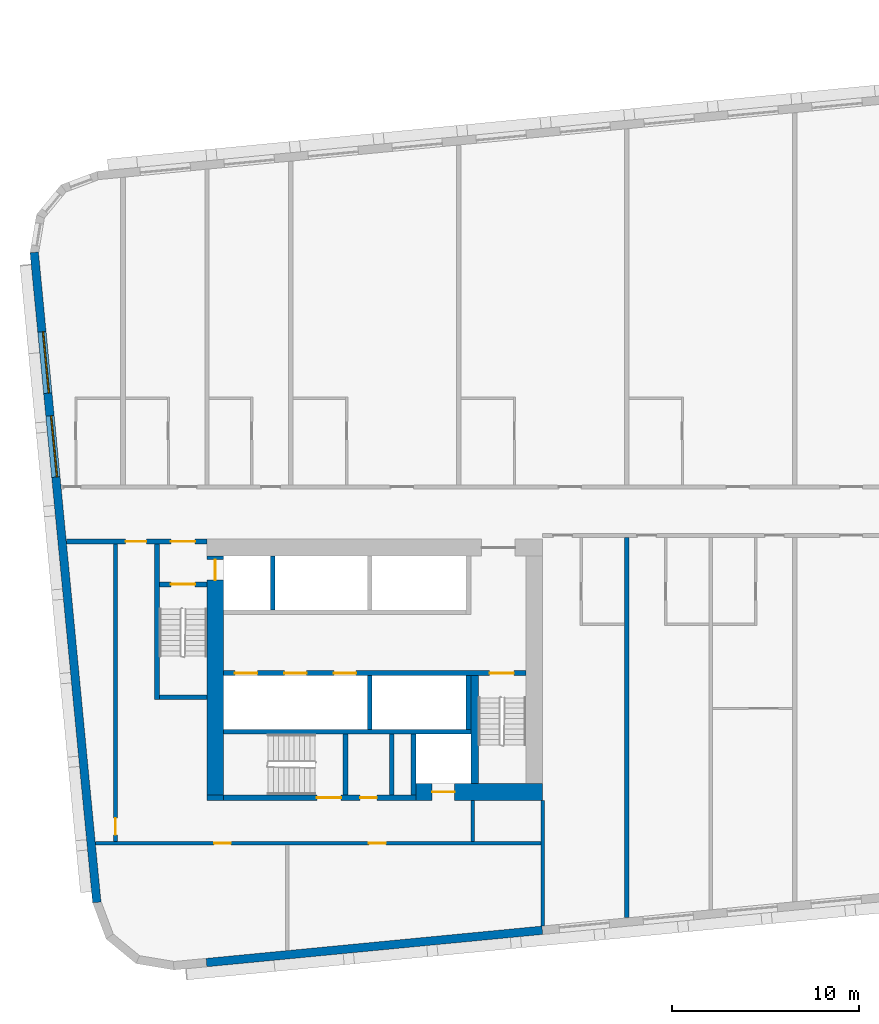
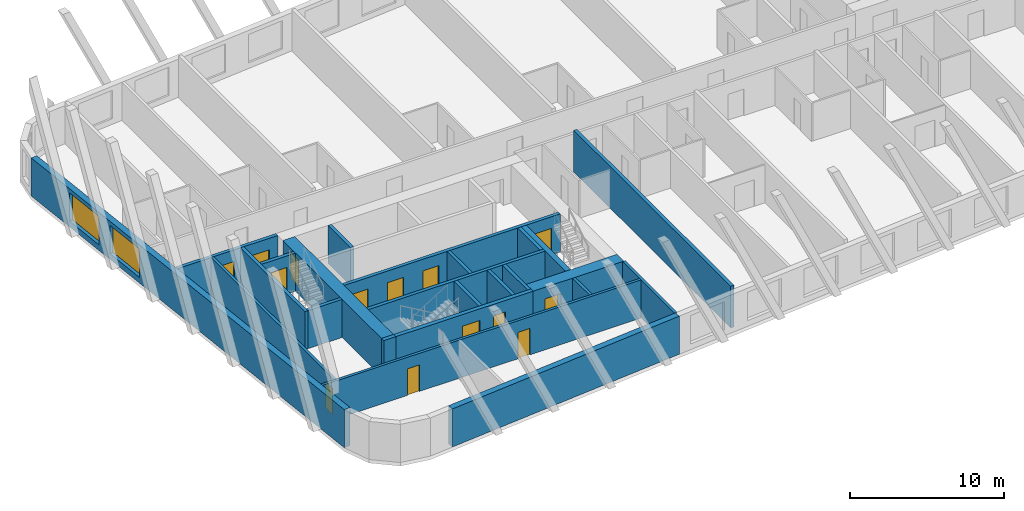
# One storey, part 2 of 13: 24 walls, 14 doors, 2 windows, 16 openings.
"""IFC4 building model written with IfcOpenShell, lengths in metres."""

from ifc_helpers import new_model, si_unit, direction, frame, frame_2d, origin, place, context, subcontext, project, spatial, rectangle, extrude, material, layer, layer_set, type_object, element, fill, save


model = new_model("IFC4")

# Units and contexts
model_context = context("Model", 3, precision=1e-05, world=origin(), true_north=direction((0.0, 1.0)))
body_context = subcontext(model_context, "Body", "Model", "MODEL_VIEW")
ifc_project = project(units=[si_unit("LENGTHUNIT", "METRE"), si_unit("AREAUNIT", "SQUARE_METRE"), si_unit("VOLUMEUNIT", "CUBIC_METRE"), si_unit("PLANEANGLEUNIT", "RADIAN"), si_unit("MASSUNIT", "GRAM", prefix="KILO")], contexts=[model_context])

# Site, building, storey
site_placement = place(None, origin())
site = spatial("IfcSite", under=ifc_project, at=site_placement, CompositionType="ELEMENT")
building_placement = place(site_placement, origin())
building = spatial("IfcBuilding", under=site, at=building_placement, Name="Kajstack Hotel Tower", CompositionType="ELEMENT")
storey_placement = place(building_placement, frame((0.0, 0.0, 110.800048828125)))
storey = spatial("IfcBuildingStorey", under=building, at=storey_placement, Name="L23", CompositionType="ELEMENT", Elevation=110.800048828125)

# Wall, opening, door
ifc_material_1 = material(Name="Concrete C60/75", Category="concrete")
ifc_layer_1 = layer(ifc_material_1, 0.89990234375)
ifc_layer_set_1 = layer_set([ifc_layer_1], Name="Core wall 900")
wall_type_1 = type_object("IfcWallType", Name="Core wall 900", PredefinedType="SHEAR", material=ifc_layer_set_1)
wall_1_placement = place(storey_placement, frame((-20.300048828125, -15.050048828125, 0.0), z_axis=(0.0, 0.0, 1.0), x_axis=(1.0, 0.0, 0.0)))
wall_1 = element("IfcWall", 1, at=wall_1_placement, inside=storey, type_object=wall_type_1, Name="Core wall W RS", PredefinedType="SHEAR", context=body_context, shape_type="SweptSolid", body=[
    extrude(rectangle(XDim=6.800048828125, YDim=0.89990234375, at=frame_2d((3.39990234375, 0.0))), origin(), (0.0, 0.0, 1.0), 3.02001953125),
])
opening_1_placement = place(wall_1_placement, frame((0.875, 0.0, 0.0)))
opening_1 = element("IfcOpeningElement", 2, at=opening_1_placement, cuts=wall_1, Name="Opening LD-SV1", PredefinedType="OPENING", context=body_context, shape_type="SweptSolid", body=[
    extrude(rectangle(XDim=1.199951171875, YDim=2.10009765625, at=frame_2d((0.60009765625, 1.050048828125))), frame((0.0, 0.4599609375, 0.0), z_axis=(0.0, -1.0, 0.0), x_axis=(1.0, 0.0, 0.0)), (0.0, 0.0, 1.0), 0.919921875),
])
ifc_material_2 = material(Name="Stainless steel", Category="steel")
door_type_1 = type_object("IfcDoorType", Name="Lift landing door 1200", OperationType="SLIDING_TO_LEFT", PredefinedType="DOOR", material=ifc_material_2)
door_1_placement = place(opening_1_placement, origin())
door_1 = element("IfcDoor", 3, at=door_1_placement, inside=storey, type_object=door_type_1, Name="Landing door SV1", OperationType="SLIDING_TO_LEFT", OverallHeight=2.10009765625, OverallWidth=1.199951171875, PredefinedType="DOOR", context=body_context, shape_type="SweptSolid", body=[
    extrude(rectangle(XDim=1.199951171875, YDim=2.10009765625, at=frame_2d((0.60009765625, 1.050048828125))), frame((0.0, 0.02490234375, 0.0), z_axis=(0.0, -1.0, 0.0), x_axis=(1.0, 0.0, 0.0)), (0.0, 0.0, 1.0), 0.050048828125),
])
fill(opening_1, door_1)

# Wall
wall_2_placement = place(storey_placement, frame((-31.5, -15.35009765625, 0.0), z_axis=(0.0, 0.0, 1.0), x_axis=(1.0, 0.0, 0.0)))
element("IfcWall", 4, at=wall_2_placement, inside=storey, type_object=wall_type_1, Name="Core wall W RSW", PredefinedType="SHEAR", context=body_context, shape_type="SweptSolid", body=[
    extrude(rectangle(XDim=0.89990234375, YDim=0.300048828125, at=frame_2d((0.449951171875, 0.0))), origin(), (0.0, 0.0, 1.0), 3.02001953125),
])

# Wall, opening, door
wall_3_placement = place(storey_placement, frame((-31.050048828125, -15.199951171875, 0.0), z_axis=(0.0, 0.0, 1.0), x_axis=(0.0, 1.0, 0.0)))
wall_3 = element("IfcWall", 5, at=wall_3_placement, inside=storey, type_object=wall_type_1, Name="Core wall W RW", PredefinedType="SHEAR", context=body_context, shape_type="SweptSolid", body=[
    extrude(rectangle(XDim=12.800048828125, YDim=0.89990234375, at=frame_2d((6.39990234375, 0.0))), origin(), (0.0, 0.0, 1.0), 3.02001953125),
])
opening_2_placement = place(wall_3_placement, frame((11.5, 0.0, 0.0)))
opening_2 = element("IfcOpeningElement", 6, at=opening_2_placement, cuts=wall_3, Name="Opening LD-FF1", PredefinedType="OPENING", context=body_context, shape_type="SweptSolid", body=[
    extrude(rectangle(XDim=1.10009765625, YDim=2.10009765625, at=frame_2d((0.550048828125, 1.050048828125))), frame((0.0, 0.4599609375, 0.0), z_axis=(0.0, -1.0, 0.0), x_axis=(1.0, 0.0, 0.0)), (0.0, 0.0, 1.0), 0.919921875),
])
door_type_2 = type_object("IfcDoorType", Name="Fire-fighting lift landing door 1100", OperationType="SLIDING_TO_LEFT", PredefinedType="DOOR", material=ifc_material_2)
door_2_placement = place(opening_2_placement, origin())
door_2 = element("IfcDoor", 7, at=door_2_placement, inside=storey, type_object=door_type_2, Name="Landing door FF1", OperationType="SLIDING_TO_RIGHT", OverallHeight=2.10009765625, OverallWidth=1.10009765625, PredefinedType="DOOR", context=body_context, shape_type="SweptSolid", body=[
    extrude(rectangle(XDim=1.10009765625, YDim=2.10009765625, at=frame_2d((0.550048828125, 1.050048828125))), frame((0.0, 0.02490234375, 0.0), z_axis=(0.0, -1.0, 0.0), x_axis=(1.0, 0.0, 0.0)), (0.0, 0.0, 1.0), 0.050048828125),
])
fill(opening_2, door_2)

# Walls
ifc_material_3 = material(Name="Twin-frame gypsum board on steel studs, mineral wool", Category="steel")
ifc_layer_2 = layer(ifc_material_3, 0.199951171875)
ifc_layer_set_2 = layer_set([ifc_layer_2], Name="Demising wall 200")
wall_type_2 = type_object("IfcWallType", Name="Demising wall 200", PredefinedType="PARTITIONING", material=ifc_layer_set_2)
wall_4_placement = place(storey_placement, frame((-13.5, -22.23193359375, 0.0), z_axis=(0.0, 0.0, 1.0), x_axis=(0.0, 1.0, 0.0)))
element("IfcWall", 8, at=wall_4_placement, inside=storey, type_object=wall_type_2, Name="G-wall-L23-002", PredefinedType="PARTITIONING", context=body_context, shape_type="SweptSolid", body=[
    extrude(rectangle(XDim=6.73193359375, YDim=0.199951171875, at=frame_2d((3.365966796875, 0.0))), origin(), (0.0, 0.0, 1.0), 3.02001953125),
])
ifc_material_4 = material(Name="Concrete C40/50", Category="concrete")
ifc_layer_3 = layer(ifc_material_4, 0.449951171875)
ifc_layer_set_3 = layer_set([ifc_layer_3], Name="EW-CORE")
wall_type_3 = type_object("IfcWallType", Name="EW-CORE", PredefinedType="SOLIDWALL", material=ifc_layer_set_3)
wall_5_placement = place(storey_placement, frame((-31.521484375, -24.193603515625, 0.0), z_axis=(0.0, 0.0, 1.0), x_axis=(0.995396454615, 0.095843091245, 0.0)))
element("IfcWall", 9, at=wall_5_placement, inside=storey, type_object=wall_type_3, Name="E-wall-L23-04-01", PredefinedType="SOLIDWALL", context=body_context, shape_type="SweptSolid", body=[
    extrude(rectangle(XDim=18.083251953125, YDim=0.449951171875, at=frame_2d((9.04150390625, 0.0))), origin(), (0.0, 0.0, 1.0), 3.02001953125),
])

# Wall, openings, windows
ifc_material_5 = material(Name="Terracotta-faced brick masonry", Category="masonry")
ifc_layer_4 = layer(ifc_material_5, 0.449951171875)
ifc_layer_set_4 = layer_set([ifc_layer_4], Name="EW-TERRA")
wall_type_4 = type_object("IfcWallType", Name="EW-TERRA", PredefinedType="SOLIDWALL", material=ifc_layer_set_4)
wall_6_placement = place(storey_placement, frame((-40.7529296875, 13.87158203125, 0.0), z_axis=(0.0, 0.0, 1.0), x_axis=(0.095843327381, -0.995396431878, 0.0)))
wall_6 = element("IfcWall", 10, at=wall_6_placement, inside=storey, type_object=wall_type_4, Name="E-wall-L23-00-00", PredefinedType="SOLIDWALL", context=body_context, shape_type="SweptSolid", body=[
    extrude(rectangle(XDim=34.999755859375, YDim=0.449951171875, at=frame_2d((17.5, 0.0))), origin(), (0.0, 0.0, 1.0), 3.02001953125),
])
opening_3_placement = place(wall_6_placement, frame((4.27734375, 0.0, 0.449951171875)))
opening_3 = element("IfcOpeningElement", 11, at=opening_3_placement, cuts=wall_6, Name="Opening W2", PredefinedType="OPENING", context=body_context, shape_type="SweptSolid", body=[
    extrude(rectangle(XDim=3.300048828125, YDim=2.25, at=frame_2d((1.64990234375, 1.125))), frame((0.0, 0.23486328125, 0.0), z_axis=(0.0, -1.0, 0.0), x_axis=(1.0, 0.0, 0.0)), (0.0, 0.0, 1.0), 0.469970703125),
])
opening_4_placement = place(wall_6_placement, frame((8.798095703125, 0.0, 0.449951171875)))
opening_4 = element("IfcOpeningElement", 12, at=opening_4_placement, cuts=wall_6, Name="Opening W2", PredefinedType="OPENING", context=body_context, shape_type="SweptSolid", body=[
    extrude(rectangle(XDim=3.300048828125, YDim=2.25, at=frame_2d((1.64990234375, 1.125))), frame((0.0, 0.23486328125, 0.0), z_axis=(0.0, -1.0, 0.0), x_axis=(1.0, 0.0, 0.0)), (0.0, 0.0, 1.0), 0.469970703125),
])
ifc_material_6 = material(Name="Timber-aluminium window, triple glazed", Category="wood")
window_type = type_object("IfcWindowType", Name="WG2", PartitioningType="SINGLE_PANEL", PredefinedType="WINDOW", material=ifc_material_6)
window_1_placement = place(opening_3_placement, origin())
window_1 = element("IfcWindow", 13, at=window_1_placement, inside=storey, type_object=window_type, Name="Window W2 L23-00", OverallHeight=2.25, OverallWidth=3.300048828125, PartitioningType="SINGLE_PANEL", PredefinedType="WINDOW", context=body_context, shape_type="SweptSolid", body=[
    extrude(rectangle(XDim=3.300048828125, YDim=2.25, at=frame_2d((1.64990234375, 1.125))), frame((0.0, 0.090087890625, 0.0), z_axis=(0.0, -1.0, 0.0), x_axis=(1.0, 0.0, 0.0)), (0.0, 0.0, 1.0), 0.06005859375),
])
fill(opening_3, window_1)
window_2_placement = place(opening_4_placement, origin())
window_2 = element("IfcWindow", 14, at=window_2_placement, inside=storey, type_object=window_type, Name="Window W2 L23-00", OverallHeight=2.25, OverallWidth=3.300048828125, PartitioningType="SINGLE_PANEL", PredefinedType="WINDOW", context=body_context, shape_type="SweptSolid", body=[
    extrude(rectangle(XDim=3.300048828125, YDim=2.25, at=frame_2d((1.64990234375, 1.125))), frame((0.0, 0.090087890625, 0.0), z_axis=(0.0, -1.0, 0.0), x_axis=(1.0, 0.0, 0.0)), (0.0, 0.0, 1.0), 0.06005859375),
])
fill(opening_4, window_2)

# Walls
ifc_material_7 = material(Name="Concrete C50/60", Category="concrete")
ifc_layer_5 = layer(ifc_material_7, 0.300048828125)
ifc_layer_set_5 = layer_set([ifc_layer_5], Name="Hoistway divider wall 300")
wall_type_5 = type_object("IfcWallType", Name="Hoistway divider wall 300", PredefinedType="SHEAR", material=ifc_layer_set_5)
wall_7_placement = place(storey_placement, frame((-22.77490234375, -11.699951171875, 0.0), z_axis=(0.0, 0.0, 1.0), x_axis=(0.0, 1.0, 0.0)))
element("IfcWall", 15, at=wall_7_placement, inside=storey, type_object=wall_type_5, Name="Core wall W BP2", PredefinedType="SHEAR", context=body_context, shape_type="SweptSolid", body=[
    extrude(rectangle(XDim=2.89990234375, YDim=0.25, at=frame_2d((1.449951171875, 0.0))), origin(), (0.0, 0.0, 1.0), 3.02001953125),
])
ifc_material_8 = material(Name="Concrete C55/67", Category="concrete")
ifc_layer_6 = layer(ifc_material_8, 0.25)
ifc_layer_set_6 = layer_set([ifc_layer_6], Name="RC cross wall 250 C55/67")
wall_type_6 = type_object("IfcWallType", Name="RC cross wall 250 C55/67", PredefinedType="SHEAR", material=ifc_layer_set_6)
wall_8_placement = place(storey_placement, frame((-9.0, -21.777099609375, 0.0), z_axis=(0.0, 0.0, 1.0), x_axis=(0.0, 1.0, 0.0)))
element("IfcWall", 16, at=wall_8_placement, inside=storey, type_object=wall_type_6, Name="S-wall-L23-04", PredefinedType="SHEAR", context=body_context, shape_type="SweptSolid", body=[
    extrude(rectangle(XDim=20.377197265625, YDim=0.25, at=frame_2d((10.1884765625, 0.0))), origin(), (0.0, 0.0, 1.0), 3.300048828125),
])
ifc_material_9 = material(Name="Concrete block masonry", Category="masonry")
ifc_layer_7 = layer(ifc_material_9, 0.25)
ifc_layer_set_7 = layer_set([ifc_layer_7], Name="Riser partition 250")
wall_type_7 = type_object("IfcWallType", Name="Riser partition 250", PredefinedType="PARTITIONING", material=ifc_layer_set_7)
wall_9_placement = place(storey_placement, frame((-21.60009765625, -15.199951171875, 0.0), z_axis=(0.0, 0.0, 1.0), x_axis=(0.0, 1.0, 0.0)))
element("IfcWall", 17, at=wall_9_placement, inside=storey, type_object=wall_type_7, Name="Partition W SZ0", PredefinedType="PARTITIONING", context=body_context, shape_type="SweptSolid", body=[
    extrude(rectangle(XDim=3.25, YDim=0.25, at=frame_2d((1.625, 0.0))), origin(), (0.0, 0.0, 1.0), 3.02001953125),
])

# Wall, openings, doors
ifc_material_10 = material(Name="Gypsum board on steel studs, mineral wool", Category="steel")
ifc_layer_8 = layer(ifc_material_10, 0.199951171875)
ifc_layer_set_8 = layer_set([ifc_layer_8], Name="Service partition 200")
wall_type_8 = type_object("IfcWallType", Name="Service partition 200", PredefinedType="PARTITIONING", material=ifc_layer_set_8)
wall_10_placement = place(storey_placement, frame((-39.034912109375, -1.625, 0.0), z_axis=(0.0, 0.0, 1.0), x_axis=(1.0, 0.0, 0.0)))
wall_10 = element("IfcWall", 18, at=wall_10_placement, inside=storey, type_object=wall_type_8, Name="Partition W SN", PredefinedType="PARTITIONING", context=body_context, shape_type="SweptSolid", body=[
    extrude(rectangle(XDim=7.534912109375, YDim=0.25, at=frame_2d((3.767578125, 0.0))), origin(), (0.0, 0.0, 1.0), 3.02001953125),
])
opening_5_placement = place(wall_10_placement, frame((5.60986328125, 0.0, 0.0)))
opening_5 = element("IfcOpeningElement", 19, at=opening_5_placement, cuts=wall_10, Name="Opening 23W07", PredefinedType="OPENING", context=body_context, shape_type="SweptSolid", body=[
    extrude(rectangle(XDim=1.300048828125, YDim=2.10009765625, at=frame_2d((0.64990234375, 1.050048828125))), frame((0.0, 0.135009765625, 0.0), z_axis=(0.0, -1.0, 0.0), x_axis=(1.0, 0.0, 0.0)), (0.0, 0.0, 1.0), 0.27001953125),
])
opening_6_placement = place(wall_10_placement, frame((3.184814453125, 0.0, 0.0)))
opening_6 = element("IfcOpeningElement", 20, at=opening_6_placement, cuts=wall_10, Name="Opening 23W09", PredefinedType="OPENING", context=body_context, shape_type="SweptSolid", body=[
    extrude(rectangle(XDim=1.10009765625, YDim=2.10009765625, at=frame_2d((0.550048828125, 1.050048828125))), frame((0.0, 0.135009765625, 0.0), z_axis=(0.0, -1.0, 0.0), x_axis=(1.0, 0.0, 0.0)), (0.0, 0.0, 1.0), 0.27001953125),
])
ifc_material_11 = material(Name="Steel leaf, fire-rated", Category="steel")
door_type_3 = type_object("IfcDoorType", Name="Fire lobby door 1300", OperationType="SINGLE_SWING_LEFT", PredefinedType="DOOR", material=ifc_material_11)
door_3_placement = place(opening_5_placement, origin())
door_3 = element("IfcDoor", 21, at=door_3_placement, inside=storey, type_object=door_type_3, Name="Door 23W07", OperationType="SINGLE_SWING_RIGHT", OverallHeight=2.10009765625, OverallWidth=1.300048828125, PredefinedType="DOOR", context=body_context, shape_type="SweptSolid", body=[
    extrude(rectangle(XDim=1.300048828125, YDim=2.10009765625, at=frame_2d((0.64990234375, 1.050048828125))), frame((0.0, 0.02490234375, 0.0), z_axis=(0.0, -1.0, 0.0), x_axis=(1.0, 0.0, 0.0)), (0.0, 0.0, 1.0), 0.050048828125),
])
fill(opening_5, door_3)
ifc_material_12 = material(Name="Timber leaf, fire-rated", Category="wood")
door_type_4 = type_object("IfcDoorType", Name="Service corridor door 1100", OperationType="SINGLE_SWING_LEFT", PredefinedType="DOOR", material=ifc_material_12)
door_4_placement = place(opening_6_placement, origin())
door_4 = element("IfcDoor", 22, at=door_4_placement, inside=storey, type_object=door_type_4, Name="Door 23W09", OperationType="SINGLE_SWING_RIGHT", OverallHeight=2.10009765625, OverallWidth=1.10009765625, PredefinedType="DOOR", context=body_context, shape_type="SweptSolid", body=[
    extrude(rectangle(XDim=1.10009765625, YDim=2.10009765625, at=frame_2d((0.550048828125, 1.050048828125))), frame((0.0, 0.02490234375, 0.0), z_axis=(0.0, -1.0, 0.0), x_axis=(1.0, 0.0, 0.0)), (0.0, 0.0, 1.0), 0.050048828125),
])
fill(opening_6, door_4)

# Wall
wall_11_placement = place(storey_placement, frame((-17.25, -17.699951171875, 0.0), z_axis=(0.0, 0.0, 1.0), x_axis=(0.0, 1.0, 0.0)))
element("IfcWall", 23, at=wall_11_placement, inside=storey, type_object=wall_type_8, Name="Partition W SCE", PredefinedType="PARTITIONING", context=body_context, shape_type="SweptSolid", body=[
    extrude(rectangle(XDim=2.199951171875, YDim=0.199951171875, at=frame_2d((1.10009765625, 0.0))), origin(), (0.0, 0.0, 1.0), 3.02001953125),
])

# Wall, opening, door
wall_12_placement = place(storey_placement, frame((-36.39990234375, -17.699951171875, 0.0), z_axis=(0.0, 0.0, 1.0), x_axis=(0.0, 1.0, 0.0)))
wall_12 = element("IfcWall", 24, at=wall_12_placement, inside=storey, type_object=wall_type_8, Name="Partition W WRE", PredefinedType="PARTITIONING", context=body_context, shape_type="SweptSolid", body=[
    extrude(rectangle(XDim=15.949951171875, YDim=0.199951171875, at=frame_2d((7.97509765625, 0.0))), origin(), (0.0, 0.0, 1.0), 3.02001953125),
])
opening_7_placement = place(wall_12_placement, frame((0.35009765625, 0.0, 0.0)))
opening_7 = element("IfcOpeningElement", 25, at=opening_7_placement, cuts=wall_12, Name="Opening 23W15", PredefinedType="OPENING", context=body_context, shape_type="SweptSolid", body=[
    extrude(rectangle(XDim=0.89990234375, YDim=2.10009765625, at=frame_2d((0.449951171875, 1.050048828125))), frame((0.0, 0.10986328125, 0.0), z_axis=(0.0, -1.0, 0.0), x_axis=(1.0, 0.0, 0.0)), (0.0, 0.0, 1.0), 0.219970703125),
])
door_type_5 = type_object("IfcDoorType", Name="Service door 900", OperationType="SINGLE_SWING_LEFT", PredefinedType="DOOR", material=ifc_material_12)
door_5_placement = place(opening_7_placement, origin())
door_5 = element("IfcDoor", 26, at=door_5_placement, inside=storey, type_object=door_type_5, Name="Door 23W15", OperationType="SINGLE_SWING_LEFT", OverallHeight=2.10009765625, OverallWidth=0.89990234375, PredefinedType="DOOR", context=body_context, shape_type="SweptSolid", body=[
    extrude(rectangle(XDim=0.89990234375, YDim=2.10009765625, at=frame_2d((0.449951171875, 1.050048828125))), frame((0.0, 0.02490234375, 0.0), z_axis=(0.0, -1.0, 0.0), x_axis=(1.0, 0.0, 0.0)), (0.0, 0.0, 1.0), 0.050048828125),
])
fill(opening_7, door_5)

# Wall, openings, doors
wall_13_placement = place(storey_placement, frame((-37.477294921875, -17.800048828125, 0.0), z_axis=(0.0, 0.0, 1.0), x_axis=(1.0, 0.0, 0.0)))
wall_13 = element("IfcWall", 27, at=wall_13_placement, inside=storey, type_object=wall_type_8, Name="Partition W SLN", PredefinedType="PARTITIONING", context=body_context, shape_type="SweptSolid", body=[
    extrude(rectangle(XDim=23.877197265625, YDim=0.199951171875, at=frame_2d((11.9384765625, 0.0))), origin(), (0.0, 0.0, 1.0), 3.02001953125),
])
opening_8_placement = place(wall_13_placement, frame((6.364990234375, 0.0, 0.0)))
opening_8 = element("IfcOpeningElement", 28, at=opening_8_placement, cuts=wall_13, Name="Opening 23W13", PredefinedType="OPENING", context=body_context, shape_type="SweptSolid", body=[
    extrude(rectangle(XDim=0.89990234375, YDim=2.10009765625, at=frame_2d((0.449951171875, 1.050048828125))), frame((0.0, 0.10986328125, 0.0), z_axis=(0.0, -1.0, 0.0), x_axis=(1.0, 0.0, 0.0)), (0.0, 0.0, 1.0), 0.219970703125),
])
opening_9_placement = place(wall_13_placement, frame((14.664794921875, 0.0, 0.0)))
opening_9 = element("IfcOpeningElement", 29, at=opening_9_placement, cuts=wall_13, Name="Opening 23W14", PredefinedType="OPENING", context=body_context, shape_type="SweptSolid", body=[
    extrude(rectangle(XDim=0.89990234375, YDim=2.10009765625, at=frame_2d((0.449951171875, 1.050048828125))), frame((0.0, 0.10986328125, 0.0), z_axis=(0.0, -1.0, 0.0), x_axis=(1.0, 0.0, 0.0)), (0.0, 0.0, 1.0), 0.219970703125),
])
door_6_placement = place(opening_8_placement, origin())
door_6 = element("IfcDoor", 30, at=door_6_placement, inside=storey, type_object=door_type_5, Name="Door 23W13", OperationType="SINGLE_SWING_RIGHT", OverallHeight=2.10009765625, OverallWidth=0.89990234375, PredefinedType="DOOR", context=body_context, shape_type="SweptSolid", body=[
    extrude(rectangle(XDim=0.89990234375, YDim=2.10009765625, at=frame_2d((0.449951171875, 1.050048828125))), frame((0.0, 0.02490234375, 0.0), z_axis=(0.0, -1.0, 0.0), x_axis=(1.0, 0.0, 0.0)), (0.0, 0.0, 1.0), 0.050048828125),
])
fill(opening_8, door_6)
door_7_placement = place(opening_9_placement, origin())
door_7 = element("IfcDoor", 31, at=door_7_placement, inside=storey, type_object=door_type_5, Name="Door 23W14", OperationType="SINGLE_SWING_RIGHT", OverallHeight=2.10009765625, OverallWidth=0.89990234375, PredefinedType="DOOR", context=body_context, shape_type="SweptSolid", body=[
    extrude(rectangle(XDim=0.89990234375, YDim=2.10009765625, at=frame_2d((0.449951171875, 1.050048828125))), frame((0.0, 0.02490234375, 0.0), z_axis=(0.0, -1.0, 0.0), x_axis=(1.0, 0.0, 0.0)), (0.0, 0.0, 1.0), 0.050048828125),
])
fill(opening_9, door_7)

ifc_layer_9 = layer(ifc_material_7, 0.25)
ifc_layer_set_9 = layer_set([ifc_layer_9], Name="Shaft wall 250")
wall_type_9 = type_object("IfcWallType", Name="Shaft wall 250", PredefinedType="SHEAR", material=ifc_layer_set_9)
wall_14_placement = place(storey_placement, frame((-30.60009765625, -15.35009765625, 0.0), z_axis=(0.0, 0.0, 1.0), x_axis=(1.0, 0.0, 0.0)))
wall_14 = element("IfcWall", 32, at=wall_14_placement, inside=storey, type_object=wall_type_9, Name="Core wall W RSS", PredefinedType="SHEAR", context=body_context, shape_type="SweptSolid", body=[
    extrude(rectangle(XDim=10.300048828125, YDim=0.300048828125, at=frame_2d((5.14990234375, 0.0))), origin(), (0.0, 0.0, 1.0), 3.02001953125),
])
opening_10_placement = place(wall_14_placement, frame((5.0, 0.0, 0.0)))
opening_10 = element("IfcOpeningElement", 33, at=opening_10_placement, cuts=wall_14, Name="Opening 23W11", PredefinedType="OPENING", context=body_context, shape_type="SweptSolid", body=[
    extrude(rectangle(XDim=1.300048828125, YDim=2.10009765625, at=frame_2d((0.64990234375, 1.050048828125))), frame((0.0, 0.159912109375, 0.0), z_axis=(0.0, -1.0, 0.0), x_axis=(1.0, 0.0, 0.0)), (0.0, 0.0, 1.0), 0.320068359375),
])
opening_11_placement = place(wall_14_placement, frame((7.3125, 0.0, 0.0)))
opening_11 = element("IfcOpeningElement", 34, at=opening_11_placement, cuts=wall_14, Name="Opening 23W12", PredefinedType="OPENING", context=body_context, shape_type="SweptSolid", body=[
    extrude(rectangle(XDim=0.89990234375, YDim=2.10009765625, at=frame_2d((0.449951171875, 1.050048828125))), frame((0.0, 0.159912109375, 0.0), z_axis=(0.0, -1.0, 0.0), x_axis=(1.0, 0.0, 0.0)), (0.0, 0.0, 1.0), 0.320068359375),
])
door_8_placement = place(opening_11_placement, origin())
door_8 = element("IfcDoor", 35, at=door_8_placement, inside=storey, type_object=door_type_5, Name="Door 23W12", OperationType="SINGLE_SWING_LEFT", OverallHeight=2.10009765625, OverallWidth=0.89990234375, PredefinedType="DOOR", context=body_context, shape_type="SweptSolid", body=[
    extrude(rectangle(XDim=0.89990234375, YDim=2.10009765625, at=frame_2d((0.449951171875, 1.050048828125))), frame((0.0, 0.02490234375, 0.0), z_axis=(0.0, -1.0, 0.0), x_axis=(1.0, 0.0, 0.0)), (0.0, 0.0, 1.0), 0.050048828125),
])
fill(opening_11, door_8)
door_type_6 = type_object("IfcDoorType", Name="Stair door 1300", OperationType="SINGLE_SWING_LEFT", PredefinedType="DOOR", material=ifc_material_11)
door_9_placement = place(opening_10_placement, origin())
door_9 = element("IfcDoor", 36, at=door_9_placement, inside=storey, type_object=door_type_6, Name="Door 23W11", OperationType="SINGLE_SWING_RIGHT", OverallHeight=2.10009765625, OverallWidth=1.300048828125, PredefinedType="DOOR", context=body_context, shape_type="SweptSolid", body=[
    extrude(rectangle(XDim=1.300048828125, YDim=2.10009765625, at=frame_2d((0.64990234375, 1.050048828125))), frame((0.0, 0.02490234375, 0.0), z_axis=(0.0, -1.0, 0.0), x_axis=(1.0, 0.0, 0.0)), (0.0, 0.0, 1.0), 0.050048828125),
])
fill(opening_10, door_9)

# Wall
wall_15_placement = place(storey_placement, frame((-27.97509765625, -5.300048828125, 0.0), z_axis=(0.0, 0.0, 1.0), x_axis=(0.0, 1.0, 0.0)))
element("IfcWall", 37, at=wall_15_placement, inside=storey, type_object=wall_type_9, Name="Core wall W AP0", PredefinedType="SHEAR", context=body_context, shape_type="SweptSolid", body=[
    extrude(rectangle(XDim=2.900146484375, YDim=0.25, at=frame_2d((1.4501953125, 0.0))), origin(), (0.0, 0.0, 1.0), 3.02001953125),
])

# Wall, openings, doors
wall_16_placement = place(storey_placement, frame((-30.60009765625, -8.675048828125, 0.0), z_axis=(0.0, 0.0, 1.0), x_axis=(1.0, 0.0, 0.0)))
wall_16 = element("IfcWall", 38, at=wall_16_placement, inside=storey, type_object=wall_type_9, Name="Core wall W FB", PredefinedType="SHEAR", context=body_context, shape_type="SweptSolid", body=[
    extrude(rectangle(XDim=16.2001953125, YDim=0.25, at=frame_2d((8.10009765625, 0.0))), origin(), (0.0, 0.0, 1.0), 3.02001953125),
])
opening_12_placement = place(wall_16_placement, frame((0.60009765625, 0.0, 0.0)))
opening_12 = element("IfcOpeningElement", 39, at=opening_12_placement, cuts=wall_16, Name="Opening LD-LR1", PredefinedType="OPENING", context=body_context, shape_type="SweptSolid", body=[
    extrude(rectangle(XDim=1.199951171875, YDim=2.10009765625, at=frame_2d((0.60009765625, 1.050048828125))), frame((0.0, 0.135009765625, 0.0), z_axis=(0.0, -1.0, 0.0), x_axis=(1.0, 0.0, 0.0)), (0.0, 0.0, 1.0), 0.27001953125),
])
opening_13_placement = place(wall_16_placement, frame((3.25, 0.0, 0.0)))
opening_13 = element("IfcOpeningElement", 40, at=opening_13_placement, cuts=wall_16, Name="Opening LD-LR2", PredefinedType="OPENING", context=body_context, shape_type="SweptSolid", body=[
    extrude(rectangle(XDim=1.199951171875, YDim=2.10009765625, at=frame_2d((0.60009765625, 1.050048828125))), frame((0.0, 0.135009765625, 0.0), z_axis=(0.0, -1.0, 0.0), x_axis=(1.0, 0.0, 0.0)), (0.0, 0.0, 1.0), 0.27001953125),
])
opening_14_placement = place(wall_16_placement, frame((5.89990234375, 0.0, 0.0)))
opening_14 = element("IfcOpeningElement", 41, at=opening_14_placement, cuts=wall_16, Name="Opening LD-LR3", PredefinedType="OPENING", context=body_context, shape_type="SweptSolid", body=[
    extrude(rectangle(XDim=1.199951171875, YDim=2.10009765625, at=frame_2d((0.60009765625, 1.050048828125))), frame((0.0, 0.135009765625, 0.0), z_axis=(0.0, -1.0, 0.0), x_axis=(1.0, 0.0, 0.0)), (0.0, 0.0, 1.0), 0.27001953125),
])
opening_15_placement = place(wall_16_placement, frame((14.25, 0.0, 0.0)))
opening_15 = element("IfcOpeningElement", 42, at=opening_15_placement, cuts=wall_16, Name="Opening 23W10", PredefinedType="OPENING", context=body_context, shape_type="SweptSolid", body=[
    extrude(rectangle(XDim=1.300048828125, YDim=2.10009765625, at=frame_2d((0.64990234375, 1.050048828125))), frame((0.0, 0.135009765625, 0.0), z_axis=(0.0, -1.0, 0.0), x_axis=(1.0, 0.0, 0.0)), (0.0, 0.0, 1.0), 0.27001953125),
])
door_10_placement = place(opening_12_placement, origin())
door_10 = element("IfcDoor", 43, at=door_10_placement, inside=storey, type_object=door_type_1, Name="Landing door LR1", OperationType="SLIDING_TO_LEFT", OverallHeight=2.10009765625, OverallWidth=1.199951171875, PredefinedType="DOOR", context=body_context, shape_type="SweptSolid", body=[
    extrude(rectangle(XDim=1.199951171875, YDim=2.10009765625, at=frame_2d((0.60009765625, 1.050048828125))), frame((0.0, 0.02490234375, 0.0), z_axis=(0.0, -1.0, 0.0), x_axis=(1.0, 0.0, 0.0)), (0.0, 0.0, 1.0), 0.050048828125),
])
fill(opening_12, door_10)
door_11_placement = place(opening_13_placement, origin())
door_11 = element("IfcDoor", 44, at=door_11_placement, inside=storey, type_object=door_type_1, Name="Landing door LR2", OperationType="SLIDING_TO_RIGHT", OverallHeight=2.10009765625, OverallWidth=1.199951171875, PredefinedType="DOOR", context=body_context, shape_type="SweptSolid", body=[
    extrude(rectangle(XDim=1.199951171875, YDim=2.10009765625, at=frame_2d((0.60009765625, 1.050048828125))), frame((0.0, 0.02490234375, 0.0), z_axis=(0.0, -1.0, 0.0), x_axis=(1.0, 0.0, 0.0)), (0.0, 0.0, 1.0), 0.050048828125),
])
fill(opening_13, door_11)
door_12_placement = place(opening_14_placement, origin())
door_12 = element("IfcDoor", 45, at=door_12_placement, inside=storey, type_object=door_type_1, Name="Landing door LR3", OperationType="SLIDING_TO_RIGHT", OverallHeight=2.10009765625, OverallWidth=1.199951171875, PredefinedType="DOOR", context=body_context, shape_type="SweptSolid", body=[
    extrude(rectangle(XDim=1.199951171875, YDim=2.10009765625, at=frame_2d((0.60009765625, 1.050048828125))), frame((0.0, 0.02490234375, 0.0), z_axis=(0.0, -1.0, 0.0), x_axis=(1.0, 0.0, 0.0)), (0.0, 0.0, 1.0), 0.050048828125),
])
fill(opening_14, door_12)
door_13_placement = place(opening_15_placement, origin())
door_13 = element("IfcDoor", 46, at=door_13_placement, inside=storey, type_object=door_type_6, Name="Door 23W10", OperationType="SINGLE_SWING_RIGHT", OverallHeight=2.10009765625, OverallWidth=1.300048828125, PredefinedType="DOOR", context=body_context, shape_type="SweptSolid", body=[
    extrude(rectangle(XDim=1.300048828125, YDim=2.10009765625, at=frame_2d((0.64990234375, 1.050048828125))), frame((0.0, 0.02490234375, 0.0), z_axis=(0.0, -1.0, 0.0), x_axis=(1.0, 0.0, 0.0)), (0.0, 0.0, 1.0), 0.050048828125),
])
fill(opening_15, door_13)

# Walls
wall_17_placement = place(storey_placement, frame((-30.60009765625, -11.824951171875, 0.0), z_axis=(0.0, 0.0, 1.0), x_axis=(1.0, 0.0, 0.0)))
element("IfcWall", 47, at=wall_17_placement, inside=storey, type_object=wall_type_9, Name="Core wall W RB", PredefinedType="SHEAR", context=body_context, shape_type="SweptSolid", body=[
    extrude(rectangle(XDim=13.25, YDim=0.25, at=frame_2d((6.625, 0.0))), origin(), (0.0, 0.0, 1.0), 3.02001953125),
])
wall_18_placement = place(storey_placement, frame((-17.47509765625, -11.699951171875, 0.0), z_axis=(0.0, 0.0, 1.0), x_axis=(0.0, 1.0, 0.0)))
element("IfcWall", 48, at=wall_18_placement, inside=storey, type_object=wall_type_9, Name="Core wall W BE", PredefinedType="SHEAR", context=body_context, shape_type="SweptSolid", body=[
    extrude(rectangle(XDim=2.89990234375, YDim=0.25, at=frame_2d((1.449951171875, 0.0))), origin(), (0.0, 0.0, 1.0), 3.02001953125),
])
wall_19_placement = place(storey_placement, frame((-20.425048828125, -15.199951171875, 0.0), z_axis=(0.0, 0.0, 1.0), x_axis=(0.0, 1.0, 0.0)))
element("IfcWall", 49, at=wall_19_placement, inside=storey, type_object=wall_type_9, Name="Core wall W SVW", PredefinedType="SHEAR", context=body_context, shape_type="SweptSolid", body=[
    extrude(rectangle(XDim=3.25, YDim=0.25, at=frame_2d((1.625, 0.0))), origin(), (0.0, 0.0, 1.0), 3.02001953125),
])

# Wall, opening, door
ifc_layer_10 = layer(ifc_material_4, 0.25)
ifc_layer_set_10 = layer_set([ifc_layer_10], Name="Stair enclosure wall 250")
wall_type_10 = type_object("IfcWallType", Name="Stair enclosure wall 250", PredefinedType="SHEAR", material=ifc_layer_set_10)
wall_20_placement = place(storey_placement, frame((-34.050048828125, -3.925048828125, 0.0), z_axis=(0.0, 0.0, 1.0), x_axis=(1.0, 0.0, 0.0)))
wall_20 = element("IfcWall", 50, at=wall_20_placement, inside=storey, type_object=wall_type_10, Name="Core wall W W1N", PredefinedType="SHEAR", context=body_context, shape_type="SweptSolid", body=[
    extrude(rectangle(XDim=2.550048828125, YDim=0.25, at=frame_2d((1.27490234375, 0.0))), origin(), (0.0, 0.0, 1.0), 3.02001953125),
])
opening_16_placement = place(wall_20_placement, frame((0.625, 0.0, 0.0)))
opening_16 = element("IfcOpeningElement", 51, at=opening_16_placement, cuts=wall_20, Name="Opening 23W08", PredefinedType="OPENING", context=body_context, shape_type="SweptSolid", body=[
    extrude(rectangle(XDim=1.300048828125, YDim=2.10009765625, at=frame_2d((0.64990234375, 1.050048828125))), frame((0.0, 0.135009765625, 0.0), z_axis=(0.0, -1.0, 0.0), x_axis=(1.0, 0.0, 0.0)), (0.0, 0.0, 1.0), 0.27001953125),
])
door_14_placement = place(opening_16_placement, origin())
door_14 = element("IfcDoor", 52, at=door_14_placement, inside=storey, type_object=door_type_6, Name="Door 23W08", OperationType="SINGLE_SWING_RIGHT", OverallHeight=2.10009765625, OverallWidth=1.300048828125, PredefinedType="DOOR", context=body_context, shape_type="SweptSolid", body=[
    extrude(rectangle(XDim=1.300048828125, YDim=2.10009765625, at=frame_2d((0.64990234375, 1.050048828125))), frame((0.0, 0.02490234375, 0.0), z_axis=(0.0, -1.0, 0.0), x_axis=(1.0, 0.0, 0.0)), (0.0, 0.0, 1.0), 0.050048828125),
])
fill(opening_16, door_14)

# Walls
wall_21_placement = place(storey_placement, frame((-34.175048828125, -10.10009765625, 0.0), z_axis=(0.0, 0.0, 1.0), x_axis=(0.0, 1.0, 0.0)))
element("IfcWall", 53, at=wall_21_placement, inside=storey, type_object=wall_type_10, Name="Core wall W W1W", PredefinedType="SHEAR", context=body_context, shape_type="SweptSolid", body=[
    extrude(rectangle(XDim=8.35009765625, YDim=0.25, at=frame_2d((4.175048828125, 0.0))), origin(), (0.0, 0.0, 1.0), 3.02001953125),
])
wall_22_placement = place(storey_placement, frame((-34.050048828125, -9.97509765625, 0.0), z_axis=(0.0, 0.0, 1.0), x_axis=(1.0, 0.0, 0.0)))
element("IfcWall", 54, at=wall_22_placement, inside=storey, type_object=wall_type_10, Name="Core wall W W1S", PredefinedType="SHEAR", context=body_context, shape_type="SweptSolid", body=[
    extrude(rectangle(XDim=2.550048828125, YDim=0.25, at=frame_2d((1.27490234375, 0.0))), origin(), (0.0, 0.0, 1.0), 3.02001953125),
])
ifc_layer_11 = layer(ifc_material_7, 0.35009765625)
ifc_layer_set_11 = layer_set([ifc_layer_11], Name="Stair enclosure wall 350")
wall_type_11 = type_object("IfcWallType", Name="Stair enclosure wall 350", PredefinedType="SHEAR", material=ifc_layer_set_11)
wall_23_placement = place(storey_placement, frame((-24.074951171875, -15.199951171875, 0.0), z_axis=(0.0, 0.0, 1.0), x_axis=(0.0, 1.0, 0.0)))
element("IfcWall", 55, at=wall_23_placement, inside=storey, type_object=wall_type_11, Name="Core wall W W3E", PredefinedType="SHEAR", context=body_context, shape_type="SweptSolid", body=[
    extrude(rectangle(XDim=3.25, YDim=0.25, at=frame_2d((1.625, 0.0))), origin(), (0.0, 0.0, 1.0), 3.02001953125),
])
ifc_layer_12 = layer(ifc_material_7, 0.39990234375)
ifc_layer_set_12 = layer_set([ifc_layer_12], Name="Stair wall 400")
wall_type_12 = type_object("IfcWallType", Name="Stair wall 400", PredefinedType="SHEAR", material=ifc_layer_set_12)
wall_24_placement = place(storey_placement, frame((-17.14990234375, -14.60009765625, 0.0), z_axis=(0.0, 0.0, 1.0), x_axis=(0.0, 1.0, 0.0)))
element("IfcWall", 56, at=wall_24_placement, inside=storey, type_object=wall_type_12, Name="Core wall W WW2", PredefinedType="SHEAR", context=body_context, shape_type="SweptSolid", body=[
    extrude(rectangle(XDim=5.800048828125, YDim=0.39990234375, at=frame_2d((2.89990234375, 0.0))), origin(), (0.0, 0.0, 1.0), 3.02001953125),
])

save(model, "model.ifc")
